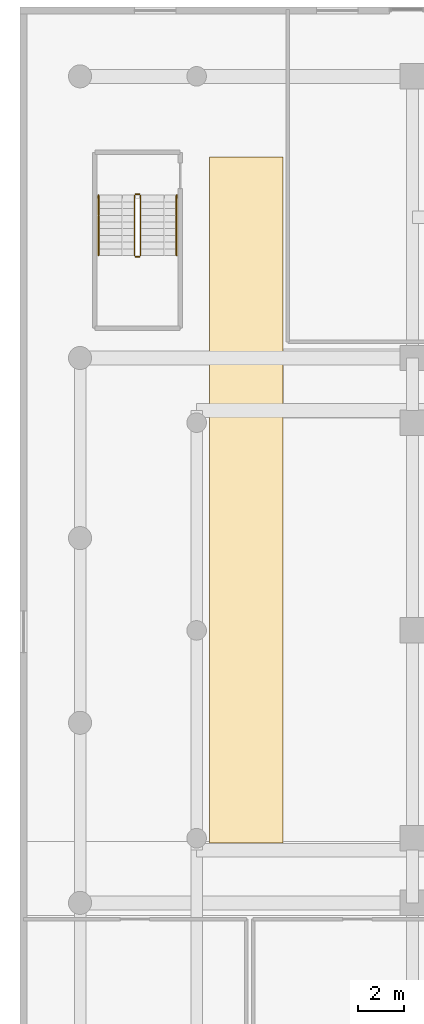
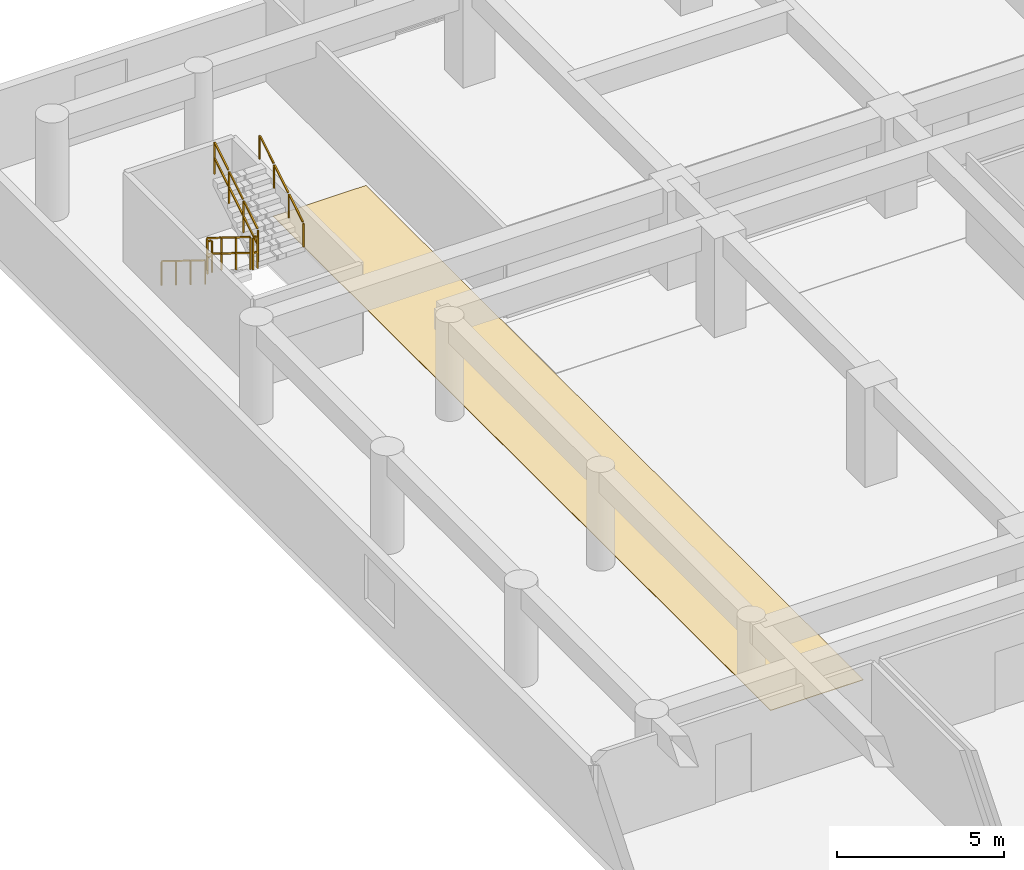
# One storey, part 27 of 30: 6 railings, 1 covering.
"""IFC4 building model written with IfcOpenShell, lengths in metres."""

from ifc_helpers import new_model, si_unit, direction, frame, origin, origin_2d, place, context, subcontext, project, spatial, polyline, rectangle, outline, extrude, material, layer, layer_set, type_object, element, save


model = new_model("IFC4")

# Units and contexts
model_context = context("Model", 3, precision=1e-05, world=origin(), true_north=direction((0.0, 1.0)))
body_context = subcontext(model_context, "Body", "Model", "MODEL_VIEW")
ifc_project = project(units=[si_unit("LENGTHUNIT", "METRE"), si_unit("AREAUNIT", "SQUARE_METRE"), si_unit("VOLUMEUNIT", "CUBIC_METRE"), si_unit("PLANEANGLEUNIT", "RADIAN"), si_unit("MASSUNIT", "GRAM", prefix="KILO")], contexts=[model_context])

# Site, building, storey
site_placement = place(None, origin())
site = spatial("IfcSite", under=ifc_project, at=site_placement, CompositionType="ELEMENT")
building_placement = place(site_placement, origin())
building = spatial("IfcBuilding", under=site, at=building_placement, Name="Saelheon Loggia Tower", CompositionType="ELEMENT")
storey_placement = place(building_placement, frame((0.0, 0.0, 11.39990234375)))
storey = spatial("IfcBuildingStorey", under=building, at=storey_placement, Name="L03", CompositionType="ELEMENT", Elevation=11.39990234375)

# Covering
ifc_material_1 = material(Name="Vitrified Porcelain Floor Tile", Category="ceramic")
ifc_layer = layer(ifc_material_1, 0.02001953125)
ifc_layer_set = layer_set([ifc_layer], Name="Vitrified Porcelain Floor Tile")
covering_type = type_object("IfcCoveringType", Name="Cov_Floor_Porcelain", PredefinedType="FLOORING", material=ifc_layer_set)
covering_placement = place(storey_placement, origin())
element("IfcCovering", 1, at=covering_placement, inside=storey, type_object=covering_type, Name="L03 Corridor Porcelain Flooring", PredefinedType="FLOORING", context=body_context, shape_type="SweptSolid", body=[
    extrude(outline(polyline([(8.199951171875, 17.800048828125), (11.39990234375, 17.800048828125), (11.39990234375, 47.5), (8.199951171875, 47.5), (8.199951171875, 17.800048828125)])), origin(), (0.0, 0.0, 1.0), 0.02001953125),
])

# Railings
ifc_material_2 = material(Name="Galvanised Steel S275 Stairwell Guardrail", Category="steel")
railing_type_1 = type_object("IfcRailingType", Name="Guard_StairWell_RL_STG", PredefinedType="GUARDRAIL", material=ifc_material_2)
railing_1_placement = place(storey_placement, frame((4.9599609375, 45.85009765625, 0.18017578125)))
element("IfcRailing", 2, at=railing_1_placement, inside=storey, type_object=railing_type_1, Name="L03 ST3 stair guard 1", PredefinedType="GUARDRAIL", context=body_context, shape_type="SweptSolid", body=[
    extrude(rectangle(XDim=0.048095703125, YDim=0.048095703125, at=origin_2d()), frame((0.0, -0.0283203125, 1.193359375), z_axis=(0.0, -0.849668407637, 0.527317358963), x_axis=(1.0, 0.0, 0.0)), (0.0, 0.0, 1.0), 0.95751953125),
    extrude(rectangle(XDim=0.048095703125, YDim=0.048095703125, at=origin_2d()), frame((0.0, -0.0283203125, 0.617431640625), z_axis=(0.0, -0.849668407637, 0.527317358963), x_axis=(1.0, 0.0, 0.0)), (0.0, 0.0, 1.0), 0.95751953125),
    extrude(rectangle(XDim=0.048095703125, YDim=0.048095703125, at=origin_2d()), frame((0.0, -0.898193359375, 1.7333984375), z_axis=(0.0, -0.849668407637, 0.527317358963), x_axis=(1.0, 0.0, 0.0)), (0.0, 0.0, 1.0), 0.95751953125),
    extrude(rectangle(XDim=0.048095703125, YDim=0.048095703125, at=origin_2d()), frame((0.0, -0.898193359375, 1.157470703125), z_axis=(0.0, -0.849668407637, 0.527317358963), x_axis=(1.0, 0.0, 0.0)), (0.0, 0.0, 1.0), 0.95751953125),
    extrude(rectangle(XDim=0.048095703125, YDim=0.048095703125, at=origin_2d()), frame((0.0, -1.768310546875, 2.2734375), z_axis=(0.0, -0.849668407637, 0.527317358963), x_axis=(1.0, 0.0, 0.0)), (0.0, 0.0, 1.0), 0.95751953125),
    extrude(rectangle(XDim=0.048095703125, YDim=0.048095703125, at=origin_2d()), frame((0.0, -1.768310546875, 1.697509765625), z_axis=(0.0, -0.849668407637, 0.527317358963), x_axis=(1.0, 0.0, 0.0)), (0.0, 0.0, 1.0), 0.95751953125),
    extrude(rectangle(XDim=0.0419921875, YDim=0.0419921875, at=origin_2d()), origin(), (0.0, 0.0, 1.0), 1.14794921875),
    extrude(rectangle(XDim=0.0419921875, YDim=0.0419921875, at=origin_2d()), frame((0.0, -0.8701171875, 0.5400390625)), (0.0, 0.0, 1.0), 1.14794921875),
    extrude(rectangle(XDim=0.0419921875, YDim=0.0419921875, at=origin_2d()), frame((0.0, -1.739990234375, 1.079833984375)), (0.0, 0.0, 1.0), 1.14794921875),
    extrude(rectangle(XDim=0.0419921875, YDim=0.0419921875, at=origin_2d()), frame((0.0, -2.610107421875, 1.619873046875)), (0.0, 0.0, 1.0), 1.14794921875),
])
railing_2_placement = place(storey_placement, frame((5.010009765625, 43.18994140625, 1.800048828125)))
element("IfcRailing", 3, at=railing_2_placement, inside=storey, type_object=railing_type_1, Name="L03 ST3 stair guard 2", PredefinedType="GUARDRAIL", context=body_context, shape_type="SweptSolid", body=[
    extrude(rectangle(XDim=0.048095703125, YDim=0.048095703125, at=origin_2d()), frame((0.033203125, 0.0, 1.17578125), z_axis=(1.0, 0.0, 0.0), x_axis=(0.0, 1.0, 0.0)), (0.0, 0.0, 1.0), 0.093505859375),
    extrude(rectangle(XDim=0.048095703125, YDim=0.048095703125, at=origin_2d()), frame((0.033203125, 0.0, 0.60009765625), z_axis=(1.0, 0.0, 0.0), x_axis=(0.0, 1.0, 0.0)), (0.0, 0.0, 1.0), 0.093505859375),
    extrude(rectangle(XDim=0.0419921875, YDim=0.0419921875, at=origin_2d()), origin(), (0.0, 0.0, 1.0), 1.14794921875),
    extrude(rectangle(XDim=0.0419921875, YDim=0.0419921875, at=origin_2d()), frame((0.159912109375, 0.0, 0.0)), (0.0, 0.0, 1.0), 1.14794921875),
])
railing_3_placement = place(storey_placement, frame((5.219970703125, 43.239990234375, 1.97998046875)))
element("IfcRailing", 4, at=railing_3_placement, inside=storey, type_object=railing_type_1, Name="L03 ST3 stair guard 3", PredefinedType="GUARDRAIL", context=body_context, shape_type="SweptSolid", body=[
    extrude(rectangle(XDim=0.048095703125, YDim=0.048095703125, at=origin_2d()), frame((0.0, 0.0283203125, 1.193359375), z_axis=(0.0, 0.849632798774, 0.527374731332), x_axis=(-1.0, 0.0, 0.0)), (0.0, 0.0, 1.0), 0.95751953125),
    extrude(rectangle(XDim=0.048095703125, YDim=0.048095703125, at=origin_2d()), frame((0.0, 0.0283203125, 0.617431640625), z_axis=(0.0, 0.849632798774, 0.527374731332), x_axis=(-1.0, 0.0, 0.0)), (0.0, 0.0, 1.0), 0.95751953125),
    extrude(rectangle(XDim=0.048095703125, YDim=0.048095703125, at=origin_2d()), frame((0.0, 0.898193359375, 1.7333984375), z_axis=(0.0, 0.849632798774, 0.527374731332), x_axis=(-1.0, 0.0, 0.0)), (0.0, 0.0, 1.0), 0.95751953125),
    extrude(rectangle(XDim=0.048095703125, YDim=0.048095703125, at=origin_2d()), frame((0.0, 0.898193359375, 1.157470703125), z_axis=(0.0, 0.849632798774, 0.527374731332), x_axis=(-1.0, 0.0, 0.0)), (0.0, 0.0, 1.0), 0.95751953125),
    extrude(rectangle(XDim=0.048095703125, YDim=0.048095703125, at=origin_2d()), frame((0.0, 1.768310546875, 2.2734375), z_axis=(0.0, 0.849632798774, 0.527374731332), x_axis=(-1.0, 0.0, 0.0)), (0.0, 0.0, 1.0), 0.95751953125),
    extrude(rectangle(XDim=0.048095703125, YDim=0.048095703125, at=origin_2d()), frame((0.0, 1.768310546875, 1.697509765625), z_axis=(0.0, 0.849632798774, 0.527374731332), x_axis=(-1.0, 0.0, 0.0)), (0.0, 0.0, 1.0), 0.95751953125),
    extrude(rectangle(XDim=0.0419921875, YDim=0.0419921875, at=origin_2d()), origin(), (0.0, 0.0, 1.0), 1.14794921875),
    extrude(rectangle(XDim=0.0419921875, YDim=0.0419921875, at=origin_2d()), frame((0.0, 0.8701171875, 0.5400390625)), (0.0, 0.0, 1.0), 1.14794921875),
    extrude(rectangle(XDim=0.0419921875, YDim=0.0419921875, at=origin_2d()), frame((0.0, 1.739990234375, 1.080078125)), (0.0, 0.0, 1.0), 1.14794921875),
    extrude(rectangle(XDim=0.0419921875, YDim=0.0419921875, at=origin_2d()), frame((0.0, 2.610107421875, 1.6201171875)), (0.0, 0.0, 1.0), 1.14794921875),
])
railing_4_placement = place(storey_placement, frame((5.010009765625, 45.89990234375, 0.0)))
element("IfcRailing", 5, at=railing_4_placement, inside=storey, type_object=railing_type_1, Name="L03 ST3 stair guard 4", PredefinedType="GUARDRAIL", context=body_context, shape_type="SweptSolid", body=[
    extrude(rectangle(XDim=0.048095703125, YDim=0.048095703125, at=origin_2d()), frame((0.033203125, 0.0, 1.17578125), z_axis=(1.0, 0.0, 0.0), x_axis=(0.0, 1.0, 0.0)), (0.0, 0.0, 1.0), 0.093505859375),
    extrude(rectangle(XDim=0.048095703125, YDim=0.048095703125, at=origin_2d()), frame((0.033203125, 0.0, 0.60009765625), z_axis=(1.0, 0.0, 0.0), x_axis=(0.0, 1.0, 0.0)), (0.0, 0.0, 1.0), 0.093505859375),
    extrude(rectangle(XDim=0.0419921875, YDim=0.0419921875, at=origin_2d()), origin(), (0.0, 0.0, 1.0), 1.14794921875),
    extrude(rectangle(XDim=0.0419921875, YDim=0.0419921875, at=origin_2d()), frame((0.159912109375, 0.0, 0.0)), (0.0, 0.0, 1.0), 1.14794921875),
])
ifc_material_3 = material(Name="Stainless Steel 304 Tubular Handrail", Category="steel")
railing_type_2 = type_object("IfcRailingType", Name="Handrail_Stair_RL_HR1", PredefinedType="HANDRAIL", material=ifc_material_3)
railing_5_placement = place(storey_placement, frame((3.39990234375, 45.85009765625, 0.18017578125)))
element("IfcRailing", 6, at=railing_5_placement, inside=storey, type_object=railing_type_2, Name="L03 ST3 stair handrail 1", PredefinedType="HANDRAIL", context=body_context, shape_type="SweptSolid", body=[
    extrude(rectangle(XDim=0.048095703125, YDim=0.048095703125, at=origin_2d()), frame((0.0, -0.0283203125, 0.893310546875), z_axis=(0.0, -0.849668407637, 0.527317358963), x_axis=(1.0, 0.0, 0.0)), (0.0, 0.0, 1.0), 0.95751953125),
    extrude(rectangle(XDim=0.048095703125, YDim=0.048095703125, at=origin_2d()), frame((0.0, -0.898193359375, 1.433349609375), z_axis=(0.0, -0.849668407637, 0.527317358963), x_axis=(1.0, 0.0, 0.0)), (0.0, 0.0, 1.0), 0.95751953125),
    extrude(rectangle(XDim=0.048095703125, YDim=0.048095703125, at=origin_2d()), frame((0.0, -1.768310546875, 1.973388671875), z_axis=(0.0, -0.849668407637, 0.527317358963), x_axis=(1.0, 0.0, 0.0)), (0.0, 0.0, 1.0), 0.95751953125),
    extrude(rectangle(XDim=0.0419921875, YDim=0.0419921875, at=origin_2d()), origin(), (0.0, 0.0, 1.0), 0.847900390625),
    extrude(rectangle(XDim=0.0419921875, YDim=0.0419921875, at=origin_2d()), frame((0.0, -0.8701171875, 0.5400390625)), (0.0, 0.0, 1.0), 0.847900390625),
    extrude(rectangle(XDim=0.0419921875, YDim=0.0419921875, at=origin_2d()), frame((0.0, -1.739990234375, 1.079833984375)), (0.0, 0.0, 1.0), 0.847900390625),
    extrude(rectangle(XDim=0.0419921875, YDim=0.0419921875, at=origin_2d()), frame((0.0, -2.610107421875, 1.619873046875)), (0.0, 0.0, 1.0), 0.847900390625),
])
railing_6_placement = place(storey_placement, frame((6.780029296875, 43.239990234375, 1.97998046875)))
element("IfcRailing", 7, at=railing_6_placement, inside=storey, type_object=railing_type_2, Name="L03 ST3 stair handrail 2", PredefinedType="HANDRAIL", context=body_context, shape_type="SweptSolid", body=[
    extrude(rectangle(XDim=0.048095703125, YDim=0.048095703125, at=origin_2d()), frame((0.0, 0.0283203125, 0.893310546875), z_axis=(0.0, 0.849632798774, 0.527374731332), x_axis=(-1.0, 0.0, 0.0)), (0.0, 0.0, 1.0), 0.95751953125),
    extrude(rectangle(XDim=0.048095703125, YDim=0.048095703125, at=origin_2d()), frame((0.0, 0.898193359375, 1.433349609375), z_axis=(0.0, 0.849632798774, 0.527374731332), x_axis=(-1.0, 0.0, 0.0)), (0.0, 0.0, 1.0), 0.95751953125),
    extrude(rectangle(XDim=0.048095703125, YDim=0.048095703125, at=origin_2d()), frame((0.0, 1.768310546875, 1.973388671875), z_axis=(0.0, 0.849632798774, 0.527374731332), x_axis=(-1.0, 0.0, 0.0)), (0.0, 0.0, 1.0), 0.95751953125),
    extrude(rectangle(XDim=0.0419921875, YDim=0.0419921875, at=origin_2d()), origin(), (0.0, 0.0, 1.0), 0.847900390625),
    extrude(rectangle(XDim=0.0419921875, YDim=0.0419921875, at=origin_2d()), frame((0.0, 0.8701171875, 0.5400390625)), (0.0, 0.0, 1.0), 0.847900390625),
    extrude(rectangle(XDim=0.0419921875, YDim=0.0419921875, at=origin_2d()), frame((0.0, 1.739990234375, 1.080078125)), (0.0, 0.0, 1.0), 0.847900390625),
    extrude(rectangle(XDim=0.0419921875, YDim=0.0419921875, at=origin_2d()), frame((0.0, 2.610107421875, 1.6201171875)), (0.0, 0.0, 1.0), 0.847900390625),
])

save(model, "model.ifc")
